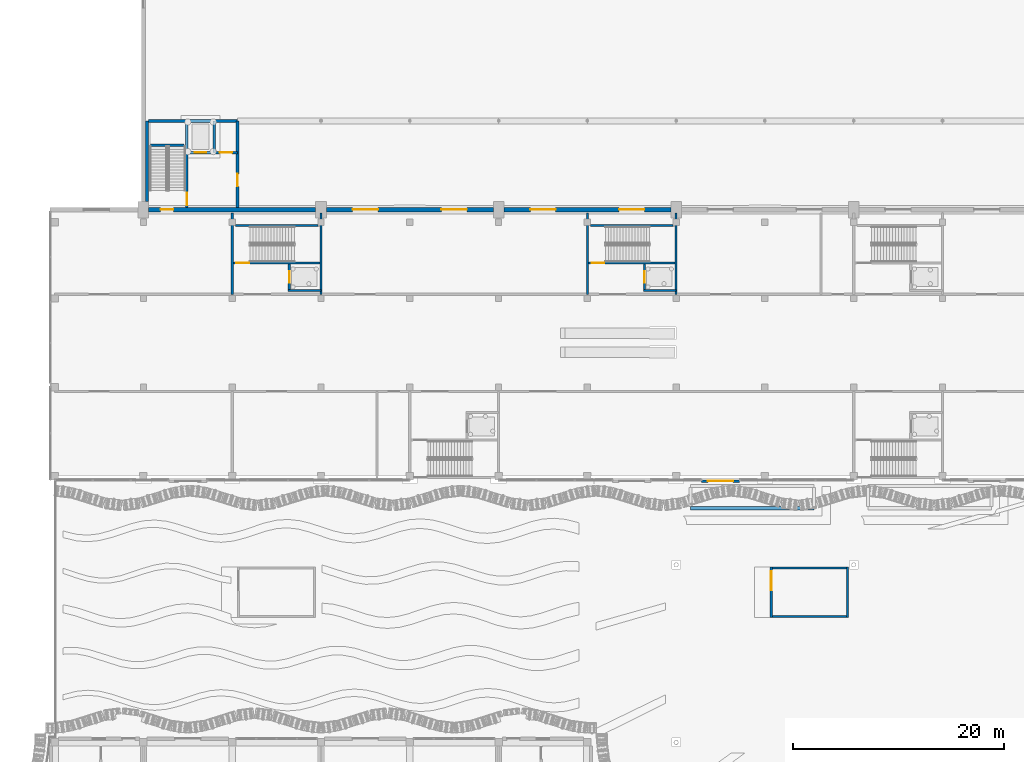
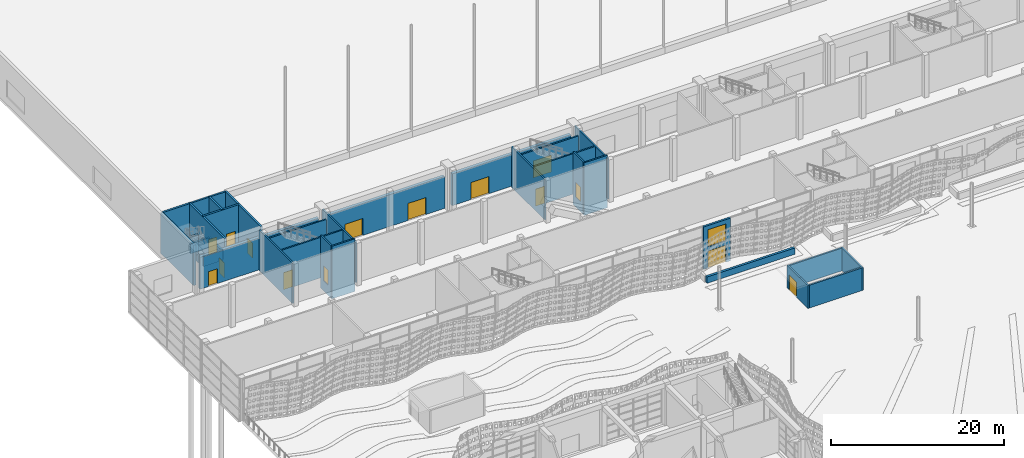
# One storey, part 104 of 210: 32 walls, 15 doors, 1 window, 16 openings.
"""IFC4 building model written with IfcOpenShell, lengths in metres."""

from ifc_helpers import new_model, si_unit, direction, frame, frame_2d, origin, place, context, subcontext, project, spatial, rectangle, extrude, material, layer, layer_set, type_object, element, fill, save


model = new_model("IFC4")

# Units and contexts
model_context = context("Model", 3, precision=1e-05, world=origin(), true_north=direction((0.0, 1.0)))
body_context = subcontext(model_context, "Body", "Model", "MODEL_VIEW")
ifc_project = project(units=[si_unit("LENGTHUNIT", "METRE"), si_unit("AREAUNIT", "SQUARE_METRE"), si_unit("VOLUMEUNIT", "CUBIC_METRE"), si_unit("PLANEANGLEUNIT", "RADIAN"), si_unit("MASSUNIT", "GRAM", prefix="KILO")], contexts=[model_context])

# Site, building, storey
site_placement = place(None, origin())
site = spatial("IfcSite", under=ifc_project, at=site_placement, CompositionType="ELEMENT")
building_placement = place(site_placement, origin())
building = spatial("IfcBuilding", under=site, at=building_placement, Name="Rain Tree Exposition and Congress Centre", CompositionType="ELEMENT")
storey_placement = place(building_placement, origin())
storey = spatial("IfcBuildingStorey", under=building, at=storey_placement, Name="L00", CompositionType="ELEMENT", Elevation=0.0)

# Wall, openings, door, window
ifc_material_1 = material(Name="Concrete C40/50", Category="concrete")
ifc_layer_1 = layer(ifc_material_1, 0.25)
ifc_layer_set_1 = layer_set([ifc_layer_1], Name="Concrete C40/50")
wall_type_1 = type_object("IfcWallType", Name="Concourse entrance infill wall 250", PredefinedType="SOLIDWALL", material=ifc_layer_set_1)
wall_1_placement = place(storey_placement, frame((61.199951171875, 75.125, 0.0), z_axis=(0.0, 0.0, 1.0), x_axis=(1.0, 0.0, 0.0)))
wall_1 = element("IfcWall", 1, at=wall_1_placement, inside=storey, type_object=wall_type_1, Name="Concourse entrance infill wall", PredefinedType="SOLIDWALL", context=body_context, shape_type="SweptSolid", body=[
    extrude(rectangle(XDim=3.60009765625, YDim=0.25, at=frame_2d((1.800048828125, 0.0))), origin(), (0.0, 0.0, 1.0), 6.0),
])
opening_1_placement = place(wall_1_placement, frame((0.60009765625, 0.0, 0.0)))
opening_1 = element("IfcOpeningElement", 2, at=opening_1_placement, cuts=wall_1, Name="Opening DC003", PredefinedType="OPENING", context=body_context, shape_type="SweptSolid", body=[
    extrude(rectangle(XDim=2.39990234375, YDim=2.39990234375, at=frame_2d((1.199951171875, 1.199951171875))), frame((0.0, 0.125, 0.0), z_axis=(0.0, -1.0, 0.0), x_axis=(1.0, 0.0, 0.0)), (0.0, 0.0, 1.0), 0.25),
])
opening_2_placement = place(wall_1_placement, frame((0.60009765625, 0.0, 3.0)))
opening_2 = element("IfcOpeningElement", 3, at=opening_2_placement, cuts=wall_1, Name="Opening WC612", PredefinedType="OPENING", context=body_context, shape_type="SweptSolid", body=[
    extrude(rectangle(XDim=2.39990234375, YDim=2.39990234375, at=frame_2d((1.199951171875, 1.199951171875))), frame((0.0, 0.125, 0.0), z_axis=(0.0, -1.0, 0.0), x_axis=(1.0, 0.0, 0.0)), (0.0, 0.0, 1.0), 0.25),
])
ifc_material_2 = material(Name="Aluminium framed glazed door", Category="aluminium")
door_type_1 = type_object("IfcDoorType", Name="Concourse double door 2400x2400", OperationType="DOUBLE_DOOR_DOUBLE_SWING", PredefinedType="DOOR", material=ifc_material_2)
door_1_placement = place(opening_1_placement, origin())
door_1 = element("IfcDoor", 4, at=door_1_placement, inside=storey, type_object=door_type_1, Name="Room entrance door DC003", OperationType="DOUBLE_DOOR_DOUBLE_SWING", OverallHeight=2.39990234375, OverallWidth=2.39990234375, PredefinedType="DOOR", context=body_context, shape_type="SweptSolid", body=[
    extrude(rectangle(XDim=2.39990234375, YDim=2.39990234375, at=frame_2d((1.199951171875, 1.199951171875))), frame((0.0, 0.02490234375, 0.0), z_axis=(0.0, -1.0, 0.0), x_axis=(1.0, 0.0, 0.0)), (0.0, 0.0, 1.0), 0.050048828125),
])
fill(opening_1, door_1)
ifc_material_3 = material(Name="Aluminium framed glazing", Category="aluminium")
window_type = type_object("IfcWindowType", Name="Concourse fixed window 2400x2400", PartitioningType="SINGLE_PANEL", PredefinedType="WINDOW", material=ifc_material_3)
window_placement = place(opening_2_placement, origin())
window = element("IfcWindow", 5, at=window_placement, inside=storey, type_object=window_type, Name="Entrance transom window", OverallHeight=2.39990234375, OverallWidth=2.39990234375, PartitioningType="SINGLE_PANEL", PredefinedType="WINDOW", context=body_context, shape_type="SweptSolid", body=[
    extrude(rectangle(XDim=2.39990234375, YDim=2.39990234375, at=frame_2d((1.199951171875, 1.199951171875))), frame((0.0, 0.030029296875, 0.0), z_axis=(0.0, -1.0, 0.0), x_axis=(1.0, 0.0, 0.0)), (0.0, 0.0, 1.0), 0.06005859375),
])
fill(opening_2, window)

# Walls
ifc_material_4 = material(Name="Concrete C40/50", Category="concrete")
ifc_layer_2 = layer(ifc_material_4, 0.199951171875)
ifc_layer_set_2 = layer_set([ifc_layer_2], Name="Concrete C40/50")
wall_type_2 = type_object("IfcWallType", Name="Concourse shaft and core wall 200", PredefinedType="SOLIDWALL", material=ifc_layer_set_2)
for number, where, z_axis, x_axis, name in (
    (6, (16.800048828125, 100.5, 0.0), (0.0, 0.0, 1.0), (0.0, -1.0, 0.0), "Concourse core wall L00"),
    (7, (25.199951171875, 100.5, 0.0), (0.0, 0.0, 1.0), (0.0, -1.0, 0.0), "Concourse core wall L00"),
    (8, (50.39990234375, 100.5, 0.0), (0.0, 0.0, 1.0), (0.0, -1.0, 0.0), "Concourse core wall L00"),
    (9, (58.800048828125, 100.5, 0.0), (0.0, 0.0, 1.0), (0.0, -1.0, 0.0), "Concourse core wall L00"),
):
    element("IfcWall", number, at=place(storey_placement, frame(where, z_axis=z_axis, x_axis=x_axis)), inside=storey, type_object=wall_type_2, Name=name, PredefinedType="SOLIDWALL", context=body_context, shape_type="SweptSolid", body=[
        extrude(rectangle(XDim=7.699951171875, YDim=0.199951171875, at=frame_2d((3.85009765625, 0.0))), origin(), (0.0, 0.0, 1.0), 5.699951171875),
    ])
wall_2_placement = place(storey_placement, frame((17.10009765625, 99.300048828125, 0.0), z_axis=(0.0, 0.0, 1.0), x_axis=(1.0, 0.0, 0.0)))
element("IfcWall", 10, at=wall_2_placement, inside=storey, type_object=wall_type_2, Name="Concourse stair wall L00", PredefinedType="SOLIDWALL", context=body_context, shape_type="SweptSolid", body=[
    extrude(rectangle(XDim=7.7998046875, YDim=0.199951171875, at=frame_2d((3.89990234375, 0.0))), origin(), (0.0, 0.0, 1.0), 5.10009765625),
])
wall_3_placement = place(storey_placement, frame((50.699951171875, 99.300048828125, 0.0), z_axis=(0.0, 0.0, 1.0), x_axis=(1.0, 0.0, 0.0)))
element("IfcWall", 11, at=wall_3_placement, inside=storey, type_object=wall_type_2, Name="Concourse stair wall L00", PredefinedType="SOLIDWALL", context=body_context, shape_type="SweptSolid", body=[
    extrude(rectangle(XDim=7.800048828125, YDim=0.199951171875, at=frame_2d((3.89990234375, 0.0))), origin(), (0.0, 0.0, 1.0), 5.10009765625),
])

# Wall, opening, door
wall_4_placement = place(storey_placement, frame((16.800048828125, 95.75, 0.0), z_axis=(0.0, 0.0, 1.0), x_axis=(1.0, 0.0, 0.0)))
wall_4 = element("IfcWall", 12, at=wall_4_placement, inside=storey, type_object=wall_type_2, Name="Concourse stair wall L00", PredefinedType="SOLIDWALL", context=body_context, shape_type="SweptSolid", body=[
    extrude(rectangle(XDim=8.39990234375, YDim=0.199951171875, at=frame_2d((4.199951171875, 0.0))), origin(), (0.0, 0.0, 1.0), 5.699951171875),
])
opening_3_placement = place(wall_4_placement, frame((0.39990234375, 0.0, 0.0)))
opening_3 = element("IfcOpeningElement", 13, at=opening_3_placement, cuts=wall_4, Name="Opening DC122", PredefinedType="OPENING", context=body_context, shape_type="SweptSolid", body=[
    extrude(rectangle(XDim=1.199951171875, YDim=2.39990234375, at=frame_2d((0.60009765625, 1.199951171875))), frame((0.0, 0.10009765625, 0.0), z_axis=(0.0, -1.0, 0.0), x_axis=(1.0, 0.0, 0.0)), (0.0, 0.0, 1.0), 0.199951171875),
])
ifc_material_5 = material(Name="Aluminium framed glazed door", Category="aluminium")
door_type_2 = type_object("IfcDoorType", Name="Concourse single door 1200x2400", OperationType="NOTDEFINED", PredefinedType="DOOR", material=ifc_material_5)
door_2_placement = place(opening_3_placement, origin())
door_2 = element("IfcDoor", 14, at=door_2_placement, inside=storey, type_object=door_type_2, Name="Stair door DC122", OperationType="SINGLE_SWING_LEFT", OverallHeight=2.39990234375, OverallWidth=1.199951171875, PredefinedType="DOOR", context=body_context, shape_type="SweptSolid", body=[
    extrude(rectangle(XDim=1.199951171875, YDim=2.39990234375, at=frame_2d((0.60009765625, 1.199951171875))), frame((0.0, 0.02490234375, 0.0), z_axis=(0.0, -1.0, 0.0), x_axis=(1.0, 0.0, 0.0)), (0.0, 0.0, 1.0), 0.050048828125),
])
fill(opening_3, door_2)

wall_5_placement = place(storey_placement, frame((22.199951171875, 93.050048828125, -1.39990234375), z_axis=(0.0, 0.0, 1.0), x_axis=(0.0, 1.0, 0.0)))
wall_5 = element("IfcWall", 15, at=wall_5_placement, inside=storey, type_object=wall_type_2, Name="Concourse lift shaft wall L00", PredefinedType="SOLIDWALL", context=body_context, shape_type="SweptSolid", body=[
    extrude(rectangle(XDim=2.599853515625, YDim=0.199951171875, at=frame_2d((1.2998046875, 0.0))), origin(), (0.0, 0.0, 1.0), 7.39990234375),
])
opening_4_placement = place(wall_5_placement, frame((0.85009765625, 0.0, 1.39990234375)))
opening_4 = element("IfcOpeningElement", 16, at=opening_4_placement, cuts=wall_5, Name="Opening DC124", PredefinedType="OPENING", context=body_context, shape_type="SweptSolid", body=[
    extrude(rectangle(XDim=1.10009765625, YDim=2.10009765625, at=frame_2d((0.550048828125, 1.050048828125))), frame((0.0, 0.10009765625, 0.0), z_axis=(0.0, -1.0, 0.0), x_axis=(1.0, 0.0, 0.0)), (0.0, 0.0, 1.0), 0.199951171875),
])
ifc_material_6 = material(Name="Stainless steel", Category="steel")
door_type_3 = type_object("IfcDoorType", Name="Lift landing door 1100x2100", OperationType="DOUBLE_DOOR_SLIDING", PredefinedType="DOOR", material=ifc_material_6)
door_3_placement = place(opening_4_placement, origin())
door_3 = element("IfcDoor", 17, at=door_3_placement, inside=storey, type_object=door_type_3, Name="Lift landing door DC124", OperationType="DOUBLE_DOOR_SLIDING", OverallHeight=2.10009765625, OverallWidth=1.10009765625, PredefinedType="DOOR", context=body_context, shape_type="SweptSolid", body=[
    extrude(rectangle(XDim=1.10009765625, YDim=2.10009765625, at=frame_2d((0.550048828125, 1.050048828125))), frame((0.0, 0.02490234375, 0.0), z_axis=(0.0, -1.0, 0.0), x_axis=(1.0, 0.0, 0.0)), (0.0, 0.0, 1.0), 0.050048828125),
])
fill(opening_4, door_3)

# Wall
wall_6_placement = place(storey_placement, frame((22.10009765625, 93.14990234375, -1.39990234375), z_axis=(0.0, 0.0, 1.0), x_axis=(1.0, 0.0, 0.0)))
element("IfcWall", 18, at=wall_6_placement, inside=storey, type_object=wall_type_2, Name="Concourse lift shaft wall L00", PredefinedType="SOLIDWALL", context=body_context, shape_type="SweptSolid", body=[
    extrude(rectangle(XDim=3.099853515625, YDim=0.199951171875, at=frame_2d((1.5498046875, 0.0))), origin(), (0.0, 0.0, 1.0), 7.39990234375),
])

# Wall, opening, door
wall_7_placement = place(storey_placement, frame((50.39990234375, 95.75, 0.0), z_axis=(0.0, 0.0, 1.0), x_axis=(1.0, 0.0, 0.0)))
wall_7 = element("IfcWall", 19, at=wall_7_placement, inside=storey, type_object=wall_type_2, Name="Concourse stair wall L00", PredefinedType="SOLIDWALL", context=body_context, shape_type="SweptSolid", body=[
    extrude(rectangle(XDim=8.400146484375, YDim=0.199951171875, at=frame_2d((4.2001953125, 0.0))), origin(), (0.0, 0.0, 1.0), 5.699951171875),
])
opening_5_placement = place(wall_7_placement, frame((0.39990234375, 0.0, 0.0)))
opening_5 = element("IfcOpeningElement", 20, at=opening_5_placement, cuts=wall_7, Name="Opening DC126", PredefinedType="OPENING", context=body_context, shape_type="SweptSolid", body=[
    extrude(rectangle(XDim=1.199951171875, YDim=2.39990234375, at=frame_2d((0.60009765625, 1.199951171875))), frame((0.0, 0.10009765625, 0.0), z_axis=(0.0, -1.0, 0.0), x_axis=(1.0, 0.0, 0.0)), (0.0, 0.0, 1.0), 0.199951171875),
])
door_4_placement = place(opening_5_placement, origin())
door_4 = element("IfcDoor", 21, at=door_4_placement, inside=storey, type_object=door_type_2, Name="Stair door DC126", OperationType="SINGLE_SWING_LEFT", OverallHeight=2.39990234375, OverallWidth=1.199951171875, PredefinedType="DOOR", context=body_context, shape_type="SweptSolid", body=[
    extrude(rectangle(XDim=1.199951171875, YDim=2.39990234375, at=frame_2d((0.60009765625, 1.199951171875))), frame((0.0, 0.02490234375, 0.0), z_axis=(0.0, -1.0, 0.0), x_axis=(1.0, 0.0, 0.0)), (0.0, 0.0, 1.0), 0.050048828125),
])
fill(opening_5, door_4)

wall_8_placement = place(storey_placement, frame((55.800048828125, 93.050048828125, -1.39990234375), z_axis=(0.0, 0.0, 1.0), x_axis=(0.0, 1.0, 0.0)))
wall_8 = element("IfcWall", 22, at=wall_8_placement, inside=storey, type_object=wall_type_2, Name="Concourse lift shaft wall L00", PredefinedType="SOLIDWALL", context=body_context, shape_type="SweptSolid", body=[
    extrude(rectangle(XDim=2.599853515625, YDim=0.199951171875, at=frame_2d((1.2998046875, 0.0))), origin(), (0.0, 0.0, 1.0), 7.39990234375),
])
opening_6_placement = place(wall_8_placement, frame((0.85009765625, 0.0, 1.39990234375)))
opening_6 = element("IfcOpeningElement", 23, at=opening_6_placement, cuts=wall_8, Name="Opening DC128", PredefinedType="OPENING", context=body_context, shape_type="SweptSolid", body=[
    extrude(rectangle(XDim=1.10009765625, YDim=2.10009765625, at=frame_2d((0.550048828125, 1.050048828125))), frame((0.0, 0.10009765625, 0.0), z_axis=(0.0, -1.0, 0.0), x_axis=(1.0, 0.0, 0.0)), (0.0, 0.0, 1.0), 0.199951171875),
])
door_5_placement = place(opening_6_placement, origin())
door_5 = element("IfcDoor", 24, at=door_5_placement, inside=storey, type_object=door_type_3, Name="Lift landing door DC128", OperationType="DOUBLE_DOOR_SLIDING", OverallHeight=2.10009765625, OverallWidth=1.10009765625, PredefinedType="DOOR", context=body_context, shape_type="SweptSolid", body=[
    extrude(rectangle(XDim=1.10009765625, YDim=2.10009765625, at=frame_2d((0.550048828125, 1.050048828125))), frame((0.0, 0.02490234375, 0.0), z_axis=(0.0, -1.0, 0.0), x_axis=(1.0, 0.0, 0.0)), (0.0, 0.0, 1.0), 0.050048828125),
])
fill(opening_6, door_5)

# Walls
wall_9_placement = place(storey_placement, frame((55.699951171875, 93.14990234375, -1.39990234375), z_axis=(0.0, 0.0, 1.0), x_axis=(1.0, 0.0, 0.0)))
element("IfcWall", 25, at=wall_9_placement, inside=storey, type_object=wall_type_2, Name="Concourse lift shaft wall L00", PredefinedType="SOLIDWALL", context=body_context, shape_type="SweptSolid", body=[
    extrude(rectangle(XDim=3.10009765625, YDim=0.199951171875, at=frame_2d((1.550048828125, 0.0))), origin(), (0.0, 0.0, 1.0), 7.39990234375),
])
ifc_material_7 = material(Name="Concrete C40/50", Category="concrete")
ifc_layer_3 = layer(ifc_material_7, 0.300048828125)
ifc_layer_set_3 = layer_set([ifc_layer_3], Name="Concrete C40/50")
wall_type_3 = type_object("IfcWallType", Name="Core gable pier wall 300", PredefinedType="SHEAR", material=ifc_layer_set_3)
wall_10_placement = place(storey_placement, frame((8.75, 101.60009765625, 0.0), z_axis=(0.0, 0.0, 1.0), x_axis=(0.0, 1.0, 0.0)))
element("IfcWall", 26, at=wall_10_placement, inside=storey, type_object=wall_type_3, Name="Gable pier wall 1", PredefinedType="SHEAR", context=body_context, shape_type="SweptSolid", body=[
    extrude(rectangle(XDim=7.599853515625, YDim=0.300048828125, at=frame_2d((3.7998046875, 0.0))), origin(), (0.0, 0.0, 1.0), 5.699951171875),
])

# Wall, opening, door
ifc_material_8 = material(Name="Concrete C40/50", Category="concrete")
ifc_layer_4 = layer(ifc_material_8, 0.25)
ifc_layer_set_4 = layer_set([ifc_layer_4], Name="Concrete C40/50")
wall_type_4 = type_object("IfcWallType", Name="Core wall 250", PredefinedType="SHEAR", material=ifc_layer_set_4)
wall_11_placement = place(storey_placement, frame((12.5, 101.0, 0.0), z_axis=(0.0, 0.0, 1.0), x_axis=(0.0, 1.0, 0.0)))
wall_11 = element("IfcWall", 27, at=wall_11_placement, inside=storey, type_object=wall_type_4, Name="Stair wall 1", PredefinedType="SHEAR", context=body_context, shape_type="SweptSolid", body=[
    extrude(rectangle(XDim=8.199951171875, YDim=0.25, at=frame_2d((4.10009765625, 0.0))), origin(), (0.0, 0.0, 1.0), 5.699951171875),
])
opening_7_placement = place(wall_11_placement, frame((0.199951171875, 0.0, 0.0)))
opening_7 = element("IfcOpeningElement", 28, at=opening_7_placement, cuts=wall_11, Name="Opening DH181", PredefinedType="OPENING", context=body_context, shape_type="SweptSolid", body=[
    extrude(rectangle(XDim=1.199951171875, YDim=2.10009765625, at=frame_2d((0.60009765625, 1.050048828125))), frame((0.0, 0.125, 0.0), z_axis=(0.0, -1.0, 0.0), x_axis=(1.0, 0.0, 0.0)), (0.0, 0.0, 1.0), 0.25),
])
ifc_material_9 = material(Name="Painted steel fire door", Category="steel")
door_type_4 = type_object("IfcDoorType", Name="Stair fire door 1200x2100", OperationType="NOTDEFINED", PredefinedType="DOOR", material=ifc_material_9)
door_6_placement = place(opening_7_placement, origin())
door_6 = element("IfcDoor", 29, at=door_6_placement, inside=storey, type_object=door_type_4, Name="Door DH181", OperationType="SINGLE_SWING_LEFT", OverallHeight=2.10009765625, OverallWidth=1.199951171875, PredefinedType="DOOR", context=body_context, shape_type="SweptSolid", body=[
    extrude(rectangle(XDim=1.199951171875, YDim=2.10009765625, at=frame_2d((0.60009765625, 1.050048828125))), frame((0.0, 0.02490234375, 0.0), z_axis=(0.0, -1.0, 0.0), x_axis=(1.0, 0.0, 0.0)), (0.0, 0.0, 1.0), 0.050048828125),
])
fill(opening_7, door_6)

# Wall
wall_12_placement = place(storey_placement, frame((8.89990234375, 109.199951171875, 0.0), z_axis=(0.0, 0.0, 1.0), x_axis=(1.0, 0.0, 0.0)))
element("IfcWall", 30, at=wall_12_placement, inside=storey, type_object=wall_type_4, Name="Core north wall 1", PredefinedType="SHEAR", context=body_context, shape_type="SweptSolid", body=[
    extrude(rectangle(XDim=8.400146484375, YDim=0.25, at=frame_2d((4.2001953125, 0.0))), origin(), (0.0, 0.0, 1.0), 5.699951171875),
])

# Wall, opening, door
wall_13_placement = place(storey_placement, frame((17.300048828125, 101.0, 0.0), z_axis=(0.0, 0.0, 1.0), x_axis=(0.0, 1.0, 0.0)))
wall_13 = element("IfcWall", 31, at=wall_13_placement, inside=storey, type_object=wall_type_4, Name="Core east wall 1", PredefinedType="SHEAR", context=body_context, shape_type="SweptSolid", body=[
    extrude(rectangle(XDim=8.199951171875, YDim=0.25, at=frame_2d((4.10009765625, 0.0))), origin(), (0.0, 0.0, 1.0), 5.699951171875),
])
opening_8_placement = place(wall_13_placement, frame((2.0, 0.0, 0.0)))
opening_8 = element("IfcOpeningElement", 32, at=opening_8_placement, cuts=wall_13, Name="Opening DH182", PredefinedType="OPENING", context=body_context, shape_type="SweptSolid", body=[
    extrude(rectangle(XDim=1.199951171875, YDim=2.10009765625, at=frame_2d((0.60009765625, 1.050048828125))), frame((0.0, 0.125, 0.0), z_axis=(0.0, -1.0, 0.0), x_axis=(1.0, 0.0, 0.0)), (0.0, 0.0, 1.0), 0.25),
])
ifc_material_10 = material(Name="Painted steel fire door", Category="steel")
door_type_5 = type_object("IfcDoorType", Name="Lobby fire door 1200x2100", OperationType="NOTDEFINED", PredefinedType="DOOR", material=ifc_material_10)
door_7_placement = place(opening_8_placement, origin())
door_7 = element("IfcDoor", 33, at=door_7_placement, inside=storey, type_object=door_type_5, Name="Door DH182", OperationType="SINGLE_SWING_LEFT", OverallHeight=2.10009765625, OverallWidth=1.199951171875, PredefinedType="DOOR", context=body_context, shape_type="SweptSolid", body=[
    extrude(rectangle(XDim=1.199951171875, YDim=2.10009765625, at=frame_2d((0.60009765625, 1.050048828125))), frame((0.0, 0.02490234375, 0.0), z_axis=(0.0, -1.0, 0.0), x_axis=(1.0, 0.0, 0.0)), (0.0, 0.0, 1.0), 0.050048828125),
])
fill(opening_8, door_7)

# Wall, openings, doors
wall_14_placement = place(storey_placement, frame((12.5, 106.199951171875, 0.0), z_axis=(0.0, 0.0, 1.0), x_axis=(1.0, 0.0, 0.0)))
wall_14 = element("IfcWall", 34, at=wall_14_placement, inside=storey, type_object=wall_type_4, Name="Lift lobby wall 1", PredefinedType="SHEAR", context=body_context, shape_type="SweptSolid", body=[
    extrude(rectangle(XDim=4.800048828125, YDim=0.25, at=frame_2d((2.39990234375, 0.0))), origin(), (0.0, 0.0, 1.0), 5.699951171875),
])
opening_9_placement = place(wall_14_placement, frame((0.75, 0.0, 0.0)))
opening_9 = element("IfcOpeningElement", 35, at=opening_9_placement, cuts=wall_14, Name="Opening DH183", PredefinedType="OPENING", context=body_context, shape_type="SweptSolid", body=[
    extrude(rectangle(XDim=1.10009765625, YDim=2.10009765625, at=frame_2d((0.550048828125, 1.050048828125))), frame((0.0, 0.125, 0.0), z_axis=(0.0, -1.0, 0.0), x_axis=(1.0, 0.0, 0.0)), (0.0, 0.0, 1.0), 0.25),
])
opening_10_placement = place(wall_14_placement, frame((3.10009765625, 0.0, 0.0)))
opening_10 = element("IfcOpeningElement", 36, at=opening_10_placement, cuts=wall_14, Name="Opening DH184", PredefinedType="OPENING", context=body_context, shape_type="SweptSolid", body=[
    extrude(rectangle(XDim=1.199951171875, YDim=2.10009765625, at=frame_2d((0.60009765625, 1.050048828125))), frame((0.0, 0.125, 0.0), z_axis=(0.0, -1.0, 0.0), x_axis=(1.0, 0.0, 0.0)), (0.0, 0.0, 1.0), 0.25),
])
door_8_placement = place(opening_9_placement, origin())
door_8 = element("IfcDoor", 37, at=door_8_placement, inside=storey, type_object=door_type_3, Name="Door DH183", OperationType="DOUBLE_DOOR_SLIDING", OverallHeight=2.10009765625, OverallWidth=1.10009765625, PredefinedType="DOOR", context=body_context, shape_type="SweptSolid", body=[
    extrude(rectangle(XDim=1.10009765625, YDim=2.10009765625, at=frame_2d((0.550048828125, 1.050048828125))), frame((0.0, 0.02490234375, 0.0), z_axis=(0.0, -1.0, 0.0), x_axis=(1.0, 0.0, 0.0)), (0.0, 0.0, 1.0), 0.050048828125),
])
fill(opening_9, door_8)
ifc_material_11 = material(Name="Painted steel fire door", Category="steel")
door_type_6 = type_object("IfcDoorType", Name="Plant room fire door 1200x2100", OperationType="NOTDEFINED", PredefinedType="DOOR", material=ifc_material_11)
door_9_placement = place(opening_10_placement, origin())
door_9 = element("IfcDoor", 38, at=door_9_placement, inside=storey, type_object=door_type_6, Name="Door DH184", OperationType="SINGLE_SWING_RIGHT", OverallHeight=2.10009765625, OverallWidth=1.199951171875, PredefinedType="DOOR", context=body_context, shape_type="SweptSolid", body=[
    extrude(rectangle(XDim=1.199951171875, YDim=2.10009765625, at=frame_2d((0.60009765625, 1.050048828125))), frame((0.0, 0.02490234375, 0.0), z_axis=(0.0, -1.0, 0.0), x_axis=(1.0, 0.0, 0.0)), (0.0, 0.0, 1.0), 0.050048828125),
])
fill(opening_10, door_9)

# Walls
wall_15_placement = place(storey_placement, frame((15.10009765625, 106.199951171875, 0.0), z_axis=(0.0, 0.0, 1.0), x_axis=(0.0, 1.0, 0.0)))
element("IfcWall", 39, at=wall_15_placement, inside=storey, type_object=wall_type_4, Name="Lift shaft wall 1", PredefinedType="SHEAR", context=body_context, shape_type="SweptSolid", body=[
    extrude(rectangle(XDim=3.0, YDim=0.25, at=frame_2d((1.5, 0.0))), origin(), (0.0, 0.0, 1.0), 5.699951171875),
])
wall_16_placement = place(storey_placement, frame((9.050048828125, 106.89990234375, 0.0), z_axis=(0.0, 0.0, 1.0), x_axis=(1.0, 0.0, 0.0)))
element("IfcWall", 40, at=wall_16_placement, inside=storey, type_object=wall_type_4, Name="Stair landing wall 1", PredefinedType="SHEAR", context=body_context, shape_type="SweptSolid", body=[
    extrude(rectangle(XDim=3.199951171875, YDim=0.25, at=frame_2d((1.60009765625, 0.0))), origin(), (0.0, 0.0, 1.0), 2.800048828125),
])

# Wall, opening, door
ifc_material_12 = material(Name="Concrete C40/50", Category="concrete")
ifc_layer_5 = layer(ifc_material_12, 0.199951171875)
ifc_layer_set_5 = layer_set([ifc_layer_5], Name="Concrete C40/50")
wall_type_5 = type_object("IfcWallType", Name="Exit stair wall 200", PredefinedType="PARTITIONING", material=ifc_layer_set_5)
wall_17_placement = place(storey_placement, frame((67.800048828125, 62.199951171875, 0.0), z_axis=(0.0, 0.0, 1.0), x_axis=(0.0, 1.0, 0.0)))
wall_17 = element("IfcWall", 41, at=wall_17_placement, inside=storey, type_object=wall_type_5, Name="Exit stair E3 wall west", PredefinedType="SOLIDWALL", context=body_context, shape_type="SweptSolid", body=[
    extrude(rectangle(XDim=4.800048828125, YDim=0.199951171875, at=frame_2d((2.39990234375, 0.0))), origin(), (0.0, 0.0, 1.0), 3.199951171875),
])
opening_11_placement = place(wall_17_placement, frame((2.60009765625, 0.0, 0.0)))
opening_11 = element("IfcOpeningElement", 42, at=opening_11_placement, cuts=wall_17, Name="Opening DS134", PredefinedType="OPENING", context=body_context, shape_type="SweptSolid", body=[
    extrude(rectangle(XDim=1.800048828125, YDim=2.10009765625, at=frame_2d((0.89990234375, 1.050048828125))), frame((0.0, 0.10009765625, 0.0), z_axis=(0.0, -1.0, 0.0), x_axis=(1.0, 0.0, 0.0)), (0.0, 0.0, 1.0), 0.199951171875),
])
ifc_material_13 = material(Name="Powder-coated steel", Category="steel")
door_type_7 = type_object("IfcDoorType", Name="Exit stair deck door 1800x2100", OperationType="NOTDEFINED", PredefinedType="DOOR", material=ifc_material_13)
door_10_placement = place(opening_11_placement, origin())
door_10 = element("IfcDoor", 43, at=door_10_placement, inside=storey, type_object=door_type_7, Name="Exit stair E3 door L00", OperationType="SINGLE_SWING_LEFT", OverallHeight=2.10009765625, OverallWidth=1.800048828125, PredefinedType="DOOR", context=body_context, shape_type="SweptSolid", body=[
    extrude(rectangle(XDim=1.800048828125, YDim=2.10009765625, at=frame_2d((0.89990234375, 1.050048828125))), frame((0.0, 0.02490234375, 0.0), z_axis=(0.0, -1.0, 0.0), x_axis=(1.0, 0.0, 0.0)), (0.0, 0.0, 1.0), 0.050048828125),
])
fill(opening_11, door_10)

# Walls
wall_18_placement = place(storey_placement, frame((75.0, 62.199951171875, 0.0), z_axis=(0.0, 0.0, 1.0), x_axis=(0.0, 1.0, 0.0)))
element("IfcWall", 44, at=wall_18_placement, inside=storey, type_object=wall_type_5, Name="Exit stair E3 wall east", PredefinedType="SOLIDWALL", context=body_context, shape_type="SweptSolid", body=[
    extrude(rectangle(XDim=4.800048828125, YDim=0.199951171875, at=frame_2d((2.39990234375, 0.0))), origin(), (0.0, 0.0, 1.0), 3.199951171875),
])
for number, where, z_axis, x_axis, name in (
    (45, (67.89990234375, 62.300048828125, 0.0), (0.0, 0.0, 1.0), (1.0, 0.0, 0.0), "Exit stair E3 wall south"),
    (46, (67.89990234375, 66.89990234375, 0.0), (0.0, 0.0, 1.0), (1.0, 0.0, 0.0), "Exit stair E3 wall north"),
):
    element("IfcWall", number, at=place(storey_placement, frame(where, z_axis=z_axis, x_axis=x_axis)), inside=storey, type_object=wall_type_5, Name=name, PredefinedType="SOLIDWALL", context=body_context, shape_type="SweptSolid", body=[
        extrude(rectangle(XDim=7.0, YDim=0.199951171875, at=frame_2d((3.5, 0.0))), origin(), (0.0, 0.0, 1.0), 3.199951171875),
    ])

# Wall, opening, door
ifc_material_14 = material(Name="Precast concrete C50/60", Category="concrete")
ifc_layer_6 = layer(ifc_material_14, 0.39990234375)
ifc_layer_set_6 = layer_set([ifc_layer_6], Name="Precast concrete C50/60")
wall_type_6 = type_object("IfcWallType", Name="Hall precast wall 400", PredefinedType="STANDARD", material=ifc_layer_set_6)
wall_19_placement = place(storey_placement, frame((8.89990234375, 100.800048828125, 0.0), z_axis=(0.0, 0.0, 1.0), x_axis=(1.0, 0.0, 0.0)))
wall_19 = element("IfcWall", 47, at=wall_19_placement, inside=storey, type_object=wall_type_6, Name="Cladding wall S1", PredefinedType="STANDARD", context=body_context, shape_type="SweptSolid", body=[
    extrude(rectangle(XDim=15.800048828125, YDim=0.39990234375, at=frame_2d((7.89990234375, 0.0))), origin(), (0.0, 0.0, 1.0), 4.5),
])
opening_12_placement = place(wall_19_placement, frame((1.137451171875, 0.0, 0.0)))
opening_12 = element("IfcOpeningElement", 48, at=opening_12_placement, cuts=wall_19, Name="Opening DH101", PredefinedType="OPENING", context=body_context, shape_type="SweptSolid", body=[
    extrude(rectangle(XDim=1.199951171875, YDim=2.10009765625, at=frame_2d((0.60009765625, 1.050048828125))), frame((0.0, 0.199951171875, 0.0), z_axis=(0.0, -1.0, 0.0), x_axis=(1.0, 0.0, 0.0)), (0.0, 0.0, 1.0), 0.39990234375),
])
door_11_placement = place(opening_12_placement, origin())
door_11 = element("IfcDoor", 49, at=door_11_placement, inside=storey, type_object=door_type_4, Name="Door DH101", OperationType="SINGLE_SWING_LEFT", OverallHeight=2.10009765625, OverallWidth=1.199951171875, PredefinedType="DOOR", context=body_context, shape_type="SweptSolid", body=[
    extrude(rectangle(XDim=1.199951171875, YDim=2.10009765625, at=frame_2d((0.60009765625, 1.050048828125))), frame((0.0, 0.02490234375, 0.0), z_axis=(0.0, -1.0, 0.0), x_axis=(1.0, 0.0, 0.0)), (0.0, 0.0, 1.0), 0.050048828125),
])
fill(opening_12, door_11)

# Wall, openings, doors
wall_20_placement = place(storey_placement, frame((25.699951171875, 100.800048828125, 0.0), z_axis=(0.0, 0.0, 1.0), x_axis=(1.0, 0.0, 0.0)))
wall_20 = element("IfcWall", 50, at=wall_20_placement, inside=storey, type_object=wall_type_6, Name="Cladding wall S2", PredefinedType="STANDARD", context=body_context, shape_type="SweptSolid", body=[
    extrude(rectangle(XDim=15.800048828125, YDim=0.39990234375, at=frame_2d((7.89990234375, 0.0))), origin(), (0.0, 0.0, 1.0), 4.5),
])
opening_13_placement = place(wall_20_placement, frame((2.5, 0.0, 0.0)))
opening_13 = element("IfcOpeningElement", 51, at=opening_13_placement, cuts=wall_20, Name="Opening DH102", PredefinedType="OPENING", context=body_context, shape_type="SweptSolid", body=[
    extrude(rectangle(XDim=2.39990234375, YDim=2.39990234375, at=frame_2d((1.199951171875, 1.199951171875))), frame((0.0, 0.199951171875, 0.0), z_axis=(0.0, -1.0, 0.0), x_axis=(1.0, 0.0, 0.0)), (0.0, 0.0, 1.0), 0.39990234375),
])
opening_14_placement = place(wall_20_placement, frame((10.89990234375, 0.0, 0.0)))
opening_14 = element("IfcOpeningElement", 52, at=opening_14_placement, cuts=wall_20, Name="Opening DH103", PredefinedType="OPENING", context=body_context, shape_type="SweptSolid", body=[
    extrude(rectangle(XDim=2.39990234375, YDim=2.39990234375, at=frame_2d((1.199951171875, 1.199951171875))), frame((0.0, 0.199951171875, 0.0), z_axis=(0.0, -1.0, 0.0), x_axis=(1.0, 0.0, 0.0)), (0.0, 0.0, 1.0), 0.39990234375),
])
ifc_material_15 = material(Name="Aluminium and glass", Category="aluminium")
door_type_8 = type_object("IfcDoorType", Name="Double glazed entrance door 2400x2400", OperationType="DOUBLE_DOOR_SINGLE_SWING", PredefinedType="DOOR", material=ifc_material_15)
door_12_placement = place(opening_13_placement, origin())
door_12 = element("IfcDoor", 53, at=door_12_placement, inside=storey, type_object=door_type_8, Name="Door DH102", OperationType="DOUBLE_DOOR_SINGLE_SWING", OverallHeight=2.39990234375, OverallWidth=2.39990234375, PredefinedType="DOOR", context=body_context, shape_type="SweptSolid", body=[
    extrude(rectangle(XDim=2.39990234375, YDim=2.39990234375, at=frame_2d((1.199951171875, 1.199951171875))), frame((0.0, 0.02490234375, 0.0), z_axis=(0.0, -1.0, 0.0), x_axis=(1.0, 0.0, 0.0)), (0.0, 0.0, 1.0), 0.050048828125),
])
fill(opening_13, door_12)
door_13_placement = place(opening_14_placement, origin())
door_13 = element("IfcDoor", 54, at=door_13_placement, inside=storey, type_object=door_type_8, Name="Door DH103", OperationType="DOUBLE_DOOR_SINGLE_SWING", OverallHeight=2.39990234375, OverallWidth=2.39990234375, PredefinedType="DOOR", context=body_context, shape_type="SweptSolid", body=[
    extrude(rectangle(XDim=2.39990234375, YDim=2.39990234375, at=frame_2d((1.199951171875, 1.199951171875))), frame((0.0, 0.02490234375, 0.0), z_axis=(0.0, -1.0, 0.0), x_axis=(1.0, 0.0, 0.0)), (0.0, 0.0, 1.0), 0.050048828125),
])
fill(opening_14, door_13)

wall_21_placement = place(storey_placement, frame((42.5, 100.800048828125, 0.0), z_axis=(0.0, 0.0, 1.0), x_axis=(1.0, 0.0, 0.0)))
wall_21 = element("IfcWall", 55, at=wall_21_placement, inside=storey, type_object=wall_type_6, Name="Cladding wall S3", PredefinedType="STANDARD", context=body_context, shape_type="SweptSolid", body=[
    extrude(rectangle(XDim=15.800048828125, YDim=0.39990234375, at=frame_2d((7.89990234375, 0.0))), origin(), (0.0, 0.0, 1.0), 4.5),
])
opening_15_placement = place(wall_21_placement, frame((2.5, 0.0, 0.0)))
opening_15 = element("IfcOpeningElement", 56, at=opening_15_placement, cuts=wall_21, Name="Opening DH104", PredefinedType="OPENING", context=body_context, shape_type="SweptSolid", body=[
    extrude(rectangle(XDim=2.39990234375, YDim=2.39990234375, at=frame_2d((1.199951171875, 1.199951171875))), frame((0.0, 0.199951171875, 0.0), z_axis=(0.0, -1.0, 0.0), x_axis=(1.0, 0.0, 0.0)), (0.0, 0.0, 1.0), 0.39990234375),
])
opening_16_placement = place(wall_21_placement, frame((10.89990234375, 0.0, 0.0)))
opening_16 = element("IfcOpeningElement", 57, at=opening_16_placement, cuts=wall_21, Name="Opening DH105", PredefinedType="OPENING", context=body_context, shape_type="SweptSolid", body=[
    extrude(rectangle(XDim=2.39990234375, YDim=2.39990234375, at=frame_2d((1.199951171875, 1.199951171875))), frame((0.0, 0.199951171875, 0.0), z_axis=(0.0, -1.0, 0.0), x_axis=(1.0, 0.0, 0.0)), (0.0, 0.0, 1.0), 0.39990234375),
])
door_14_placement = place(opening_15_placement, origin())
door_14 = element("IfcDoor", 58, at=door_14_placement, inside=storey, type_object=door_type_8, Name="Door DH104", OperationType="DOUBLE_DOOR_SINGLE_SWING", OverallHeight=2.39990234375, OverallWidth=2.39990234375, PredefinedType="DOOR", context=body_context, shape_type="SweptSolid", body=[
    extrude(rectangle(XDim=2.39990234375, YDim=2.39990234375, at=frame_2d((1.199951171875, 1.199951171875))), frame((0.0, 0.02490234375, 0.0), z_axis=(0.0, -1.0, 0.0), x_axis=(1.0, 0.0, 0.0)), (0.0, 0.0, 1.0), 0.050048828125),
])
fill(opening_15, door_14)
door_15_placement = place(opening_16_placement, origin())
door_15 = element("IfcDoor", 59, at=door_15_placement, inside=storey, type_object=door_type_8, Name="Door DH105", OperationType="DOUBLE_DOOR_SINGLE_SWING", OverallHeight=2.39990234375, OverallWidth=2.39990234375, PredefinedType="DOOR", context=body_context, shape_type="SweptSolid", body=[
    extrude(rectangle(XDim=2.39990234375, YDim=2.39990234375, at=frame_2d((1.199951171875, 1.199951171875))), frame((0.0, 0.02490234375, 0.0), z_axis=(0.0, -1.0, 0.0), x_axis=(1.0, 0.0, 0.0)), (0.0, 0.0, 1.0), 0.050048828125),
])
fill(opening_16, door_15)

# Walls
ifc_material_16 = material(Name="Concrete C40/50", Category="concrete")
ifc_layer_7 = layer(ifc_material_16, 0.25)
ifc_layer_set_7 = layer_set([ifc_layer_7], Name="Concrete C40/50")
wall_type_7 = type_object("IfcWallType", Name="Lift pit wall 250", PredefinedType="SHEAR", material=ifc_layer_set_7)
for number, where, z_axis, x_axis, name in (
    (60, (12.5, 106.199951171875, -1.39990234375), (0.0, 0.0, 1.0), (0.0, 1.0, 0.0), "Lift pit wall 1.1"),
    (61, (15.10009765625, 106.199951171875, -1.39990234375), (0.0, 0.0, 1.0), (0.0, 1.0, 0.0), "Lift pit wall 1.2"),
):
    element("IfcWall", number, at=place(storey_placement, frame(where, z_axis=z_axis, x_axis=x_axis)), inside=storey, type_object=wall_type_7, Name=name, PredefinedType="SHEAR", context=body_context, shape_type="SweptSolid", body=[
        extrude(rectangle(XDim=3.0, YDim=0.25, at=frame_2d((1.5, 0.0))), origin(), (0.0, 0.0, 1.0), 1.39990234375),
    ])
for number, where, z_axis, x_axis, name in (
    (62, (12.5, 106.199951171875, -1.39990234375), (0.0, 0.0, 1.0), (1.0, 0.0, 0.0), "Lift pit wall 1.3"),
    (63, (12.5, 109.199951171875, -1.39990234375), (0.0, 0.0, 1.0), (1.0, 0.0, 0.0), "Lift pit wall 1.4"),
):
    element("IfcWall", number, at=place(storey_placement, frame(where, z_axis=z_axis, x_axis=x_axis)), inside=storey, type_object=wall_type_7, Name=name, PredefinedType="SHEAR", context=body_context, shape_type="SweptSolid", body=[
        extrude(rectangle(XDim=2.60009765625, YDim=0.25, at=frame_2d((1.300048828125, 0.0))), origin(), (0.0, 0.0, 1.0), 1.39990234375),
    ])
ifc_material_17 = material(Name="Concrete C40/50", Category="concrete")
ifc_layer_8 = layer(ifc_material_17, 0.300048828125)
ifc_layer_set_8 = layer_set([ifc_layer_8], Name="Concrete C40/50")
wall_type_8 = type_object("IfcWallType", Name="Precast planter wall 300", PredefinedType="SOLIDWALL", material=ifc_layer_set_8)
wall_22_placement = place(storey_placement, frame((60.14990234375, 72.550048828125, 0.0), z_axis=(0.0, 0.0, 1.0), x_axis=(1.0, 0.0, 0.0)))
element("IfcWall", 64, at=wall_22_placement, inside=storey, type_object=wall_type_8, Name="Forecourt planter wall", PredefinedType="SOLIDWALL", context=body_context, shape_type="SweptSolid", body=[
    extrude(rectangle(XDim=11.7001953125, YDim=0.300048828125, at=frame_2d((5.85009765625, 0.0))), origin(), (0.0, 0.0, 1.0), 0.89990234375),
])

save(model, "model.ifc")
